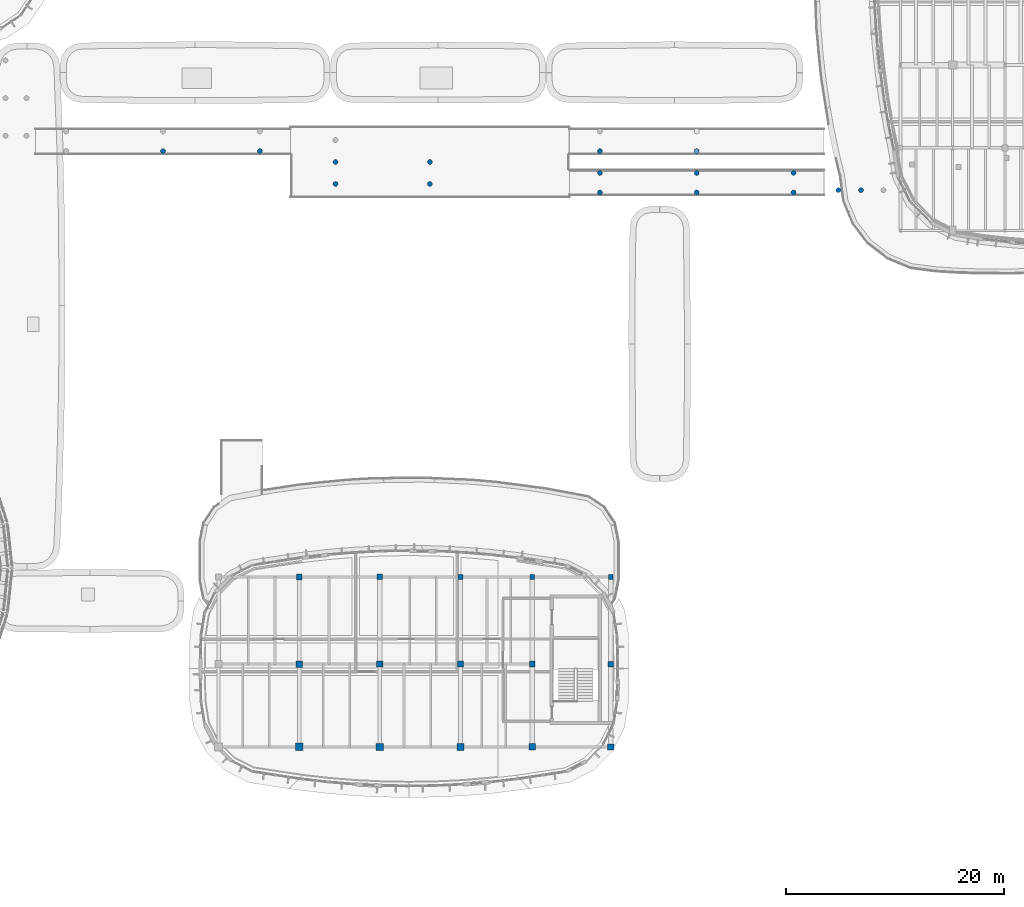
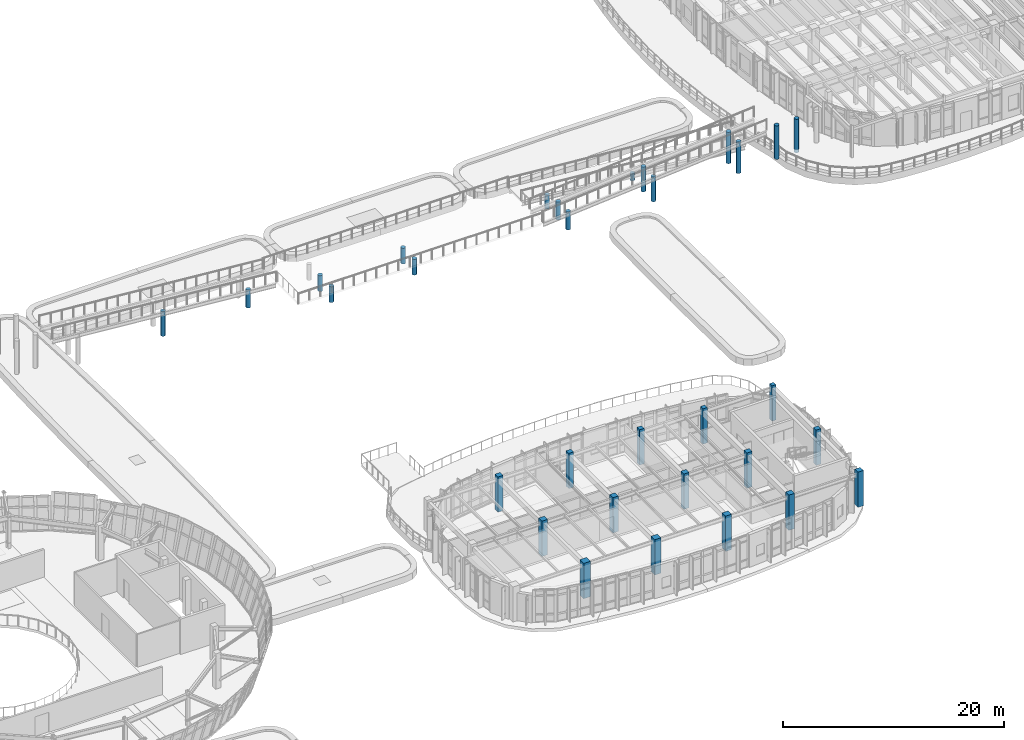
# One storey, part 4 of 111: 31 columns.
"""IFC4 building model written with IfcOpenShell, lengths in metres."""

from ifc_helpers import new_model, si_unit, direction, frame, origin, origin_2d, place, context, subcontext, project, spatial, rectangle, circle, extrude, material, material_profile, profile_set, type_object, element, save


model = new_model("IFC4")

# Units and contexts
model_context = context("Model", 3, precision=1e-05, world=origin(), true_north=direction((0.0, 1.0)))
body_context = subcontext(model_context, "Body", "Model", "MODEL_VIEW")
ifc_project = project(units=[si_unit("LENGTHUNIT", "METRE"), si_unit("AREAUNIT", "SQUARE_METRE"), si_unit("VOLUMEUNIT", "CUBIC_METRE"), si_unit("PLANEANGLEUNIT", "RADIAN"), si_unit("MASSUNIT", "GRAM", prefix="KILO")], contexts=[model_context])

# Site, building, storey
site_placement = place(None, origin())
site = spatial("IfcSite", under=ifc_project, at=site_placement, CompositionType="ELEMENT")
building_placement = place(site_placement, origin())
building = spatial("IfcBuilding", under=site, at=building_placement, Name="Corveleigh Park Community Centre", CompositionType="ELEMENT")
storey_placement = place(building_placement, frame((0.0, 0.0, 4.800048828125)))
storey = spatial("IfcBuildingStorey", under=building, at=storey_placement, Name="L01", CompositionType="ELEMENT", Elevation=4.800048828125)

# Columns
ifc_material = material(Name="Concrete C40/50", Category="concrete")
ifc_material_profile_1 = material_profile(ifc_material, rectangle(XDim=0.425048828125, YDim=0.425048828125, at=origin_2d()), Name="RC-425x425", Category="concrete")
ifc_profile_set_1 = profile_set([ifc_material_profile_1], Name="Concrete C40/50")
column_type_1 = type_object("IfcColumnType", Name="COL-RC-425x425", PredefinedType="COLUMN", material=ifc_profile_set_1)
column_1_placement = place(storey_placement, frame((108.0, 26.800048828125, 0.0), z_axis=(0.0, 0.0, 1.0), x_axis=(1.0, 0.0, 0.0)))
element("IfcColumn", 1, at=column_1_placement, inside=storey, type_object=column_type_1, Name="Column V3-X5Y2 L01", PredefinedType="COLUMN", context=body_context, shape_type="SweptSolid", body=[
    extrude(rectangle(XDim=0.425048828125, YDim=0.425048828125, at=origin_2d()), origin(), (0.0, 0.0, 1.0), 3.89990234375),
])
ifc_material_profile_2 = material_profile(ifc_material, rectangle(XDim=0.449951171875, YDim=0.449951171875, at=origin_2d()), Name="RC-450x450", Category="concrete")
ifc_profile_set_2 = profile_set([ifc_material_profile_2], Name="Concrete C40/50")
column_type_2 = type_object("IfcColumnType", Name="COL-RC-450x450", PredefinedType="COLUMN", material=ifc_profile_set_2)
column_2_placement = place(storey_placement, frame((100.800048828125, 26.800048828125, 0.0), z_axis=(0.0, 0.0, 1.0), x_axis=(1.0, 0.0, 0.0)))
element("IfcColumn", 2, at=column_2_placement, inside=storey, type_object=column_type_2, Name="Column V3-X4Y2 L01", PredefinedType="COLUMN", context=body_context, shape_type="SweptSolid", body=[
    extrude(rectangle(XDim=0.449951171875, YDim=0.449951171875, at=origin_2d()), origin(), (0.0, 0.0, 1.0), 3.89990234375),
])
ifc_material_profile_3 = material_profile(ifc_material, rectangle(XDim=0.47509765625, YDim=0.47509765625, at=origin_2d()), Name="RC-475x475", Category="concrete")
ifc_profile_set_3 = profile_set([ifc_material_profile_3], Name="Concrete C40/50")
column_type_3 = type_object("IfcColumnType", Name="COL-RC-475x475", PredefinedType="COLUMN", material=ifc_profile_set_3)
column_3_placement = place(storey_placement, frame((94.199951171875, 26.800048828125, 0.0), z_axis=(0.0, 0.0, 1.0), x_axis=(1.0, 0.0, 0.0)))
element("IfcColumn", 3, at=column_3_placement, inside=storey, type_object=column_type_3, Name="Column V3-X3Y2 L01", PredefinedType="COLUMN", context=body_context, shape_type="SweptSolid", body=[
    extrude(rectangle(XDim=0.47509765625, YDim=0.47509765625, at=origin_2d()), origin(), (0.0, 0.0, 1.0), 3.89990234375),
])
ifc_material_profile_4 = material_profile(ifc_material, rectangle(XDim=0.5, YDim=0.5, at=origin_2d()), Name="RC-500x500", Category="concrete")
ifc_profile_set_4 = profile_set([ifc_material_profile_4], Name="Concrete C40/50")
column_type_4 = type_object("IfcColumnType", Name="COL-RC-500x500", PredefinedType="COLUMN", material=ifc_profile_set_4)
for number, where, z_axis, x_axis, name in (
    (4, (86.800048828125, 26.800048828125, 0.0), (0.0, 0.0, 1.0), (1.0, 0.0, 0.0), "Column V3-X2Y2 L01"),
    (5, (108.0, 18.800048828125, 0.0), (0.0, 0.0, 1.0), (1.0, 0.0, 0.0), "Column V3-X5Y1 L01"),
):
    element("IfcColumn", number, at=place(storey_placement, frame(where, z_axis=z_axis, x_axis=x_axis)), inside=storey, type_object=column_type_4, Name=name, PredefinedType="COLUMN", context=body_context, shape_type="SweptSolid", body=[
        extrude(rectangle(XDim=0.5, YDim=0.5, at=origin_2d()), origin(), (0.0, 0.0, 1.0), 3.89990234375),
    ])
ifc_material_profile_5 = material_profile(ifc_material, rectangle(XDim=0.52490234375, YDim=0.52490234375, at=origin_2d()), Name="RC-525x525", Category="concrete")
ifc_profile_set_5 = profile_set([ifc_material_profile_5], Name="Concrete C40/50")
column_type_5 = type_object("IfcColumnType", Name="COL-RC-525x525", PredefinedType="COLUMN", material=ifc_profile_set_5)
for number, where, z_axis, x_axis, name in (
    (6, (79.39990234375, 26.800048828125, 0.0), (0.0, 0.0, 1.0), (1.0, 0.0, 0.0), "Column V3-X1Y2 L01"),
    (7, (100.800048828125, 18.800048828125, 0.0), (0.0, 0.0, 1.0), (1.0, 0.0, 0.0), "Column V3-X4Y1 L01"),
):
    element("IfcColumn", number, at=place(storey_placement, frame(where, z_axis=z_axis, x_axis=x_axis)), inside=storey, type_object=column_type_5, Name=name, PredefinedType="COLUMN", context=body_context, shape_type="SweptSolid", body=[
        extrude(rectangle(XDim=0.52490234375, YDim=0.52490234375, at=origin_2d()), origin(), (0.0, 0.0, 1.0), 3.89990234375),
    ])
ifc_material_profile_6 = material_profile(ifc_material, rectangle(XDim=0.550048828125, YDim=0.550048828125, at=origin_2d()), Name="RC-550x550", Category="concrete")
ifc_profile_set_6 = profile_set([ifc_material_profile_6], Name="Concrete C40/50")
column_type_6 = type_object("IfcColumnType", Name="COL-RC-550x550", PredefinedType="COLUMN", material=ifc_profile_set_6)
column_4_placement = place(storey_placement, frame((94.199951171875, 18.800048828125, 0.0), z_axis=(0.0, 0.0, 1.0), x_axis=(1.0, 0.0, 0.0)))
element("IfcColumn", 8, at=column_4_placement, inside=storey, type_object=column_type_6, Name="Column V3-X3Y1 L01", PredefinedType="COLUMN", context=body_context, shape_type="SweptSolid", body=[
    extrude(rectangle(XDim=0.550048828125, YDim=0.550048828125, at=origin_2d()), origin(), (0.0, 0.0, 1.0), 3.89990234375),
])
ifc_material_profile_7 = material_profile(ifc_material, rectangle(XDim=0.574951171875, YDim=0.574951171875, at=origin_2d()), Name="RC-575x575", Category="concrete")
ifc_profile_set_7 = profile_set([ifc_material_profile_7], Name="Concrete C40/50")
column_type_7 = type_object("IfcColumnType", Name="COL-RC-575x575", PredefinedType="COLUMN", material=ifc_profile_set_7)
for number, where, z_axis, x_axis, name in (
    (9, (86.800048828125, 18.800048828125, 0.0), (0.0, 0.0, 1.0), (1.0, 0.0, 0.0), "Column V3-X2Y1 L01"),
    (10, (108.0, 11.199951171875, 0.0), (0.0, 0.0, 1.0), (1.0, 0.0, 0.0), "Column V3-X5Y0 L01"),
):
    element("IfcColumn", number, at=place(storey_placement, frame(where, z_axis=z_axis, x_axis=x_axis)), inside=storey, type_object=column_type_7, Name=name, PredefinedType="COLUMN", context=body_context, shape_type="SweptSolid", body=[
        extrude(rectangle(XDim=0.574951171875, YDim=0.574951171875, at=origin_2d()), origin(), (0.0, 0.0, 1.0), 3.89990234375),
    ])
ifc_material_profile_8 = material_profile(ifc_material, rectangle(XDim=0.60009765625, YDim=0.60009765625, at=origin_2d()), Name="RC-600x600", Category="concrete")
ifc_profile_set_8 = profile_set([ifc_material_profile_8], Name="Concrete C40/50")
column_type_8 = type_object("IfcColumnType", Name="COL-RC-600x600", PredefinedType="COLUMN", material=ifc_profile_set_8)
for number, where, z_axis, x_axis, name in (
    (11, (79.39990234375, 18.800048828125, 0.0), (0.0, 0.0, 1.0), (1.0, 0.0, 0.0), "Column V3-X1Y1 L01"),
    (12, (100.800048828125, 11.199951171875, 0.0), (0.0, 0.0, 1.0), (1.0, 0.0, 0.0), "Column V3-X4Y0 L01"),
):
    element("IfcColumn", number, at=place(storey_placement, frame(where, z_axis=z_axis, x_axis=x_axis)), inside=storey, type_object=column_type_8, Name=name, PredefinedType="COLUMN", context=body_context, shape_type="SweptSolid", body=[
        extrude(rectangle(XDim=0.60009765625, YDim=0.60009765625, at=origin_2d()), origin(), (0.0, 0.0, 1.0), 3.89990234375),
    ])
ifc_material_profile_9 = material_profile(ifc_material, rectangle(XDim=0.625, YDim=0.625, at=origin_2d()), Name="RC-625x625", Category="concrete")
ifc_profile_set_9 = profile_set([ifc_material_profile_9], Name="Concrete C40/50")
column_type_9 = type_object("IfcColumnType", Name="COL-RC-625x625", PredefinedType="COLUMN", material=ifc_profile_set_9)
column_5_placement = place(storey_placement, frame((94.199951171875, 11.199951171875, 0.0), z_axis=(0.0, 0.0, 1.0), x_axis=(1.0, 0.0, 0.0)))
element("IfcColumn", 13, at=column_5_placement, inside=storey, type_object=column_type_9, Name="Column V3-X3Y0 L01", PredefinedType="COLUMN", context=body_context, shape_type="SweptSolid", body=[
    extrude(rectangle(XDim=0.625, YDim=0.625, at=origin_2d()), origin(), (0.0, 0.0, 1.0), 3.89990234375),
])
ifc_material_profile_10 = material_profile(ifc_material, rectangle(XDim=0.64990234375, YDim=0.64990234375, at=origin_2d()), Name="RC-650x650", Category="concrete")
ifc_profile_set_10 = profile_set([ifc_material_profile_10], Name="Concrete C40/50")
column_type_10 = type_object("IfcColumnType", Name="COL-RC-650x650", PredefinedType="COLUMN", material=ifc_profile_set_10)
column_6_placement = place(storey_placement, frame((86.800048828125, 11.199951171875, 0.0), z_axis=(0.0, 0.0, 1.0), x_axis=(1.0, 0.0, 0.0)))
element("IfcColumn", 14, at=column_6_placement, inside=storey, type_object=column_type_10, Name="Column V3-X2Y0 L01", PredefinedType="COLUMN", context=body_context, shape_type="SweptSolid", body=[
    extrude(rectangle(XDim=0.64990234375, YDim=0.64990234375, at=origin_2d()), origin(), (0.0, 0.0, 1.0), 3.89990234375),
])
ifc_material_profile_11 = material_profile(ifc_material, rectangle(XDim=0.699951171875, YDim=0.699951171875, at=origin_2d()), Name="RC-700x700", Category="concrete")
ifc_profile_set_11 = profile_set([ifc_material_profile_11], Name="Concrete C40/50")
column_type_11 = type_object("IfcColumnType", Name="COL-RC-700x700", PredefinedType="COLUMN", material=ifc_profile_set_11)
column_7_placement = place(storey_placement, frame((79.39990234375, 11.199951171875, 0.0), z_axis=(0.0, 0.0, 1.0), x_axis=(1.0, 0.0, 0.0)))
element("IfcColumn", 15, at=column_7_placement, inside=storey, type_object=column_type_11, Name="Column V3-X1Y0 L01", PredefinedType="COLUMN", context=body_context, shape_type="SweptSolid", body=[
    extrude(rectangle(XDim=0.699951171875, YDim=0.699951171875, at=origin_2d()), origin(), (0.0, 0.0, 1.0), 3.89990234375),
])
ifc_material_profile_12 = material_profile(ifc_material, circle(Radius=0.22509765625, at=origin_2d()), Name="RC-450D", Category="concrete")
ifc_profile_set_12 = profile_set([ifc_material_profile_12], Name="Concrete C40/50")
column_type_12 = type_object("IfcColumnType", Name="COL-RCE-450D", PredefinedType="COLUMN", material=ifc_profile_set_12)
column_8_placement = place(storey_placement, frame((115.89990234375, 65.89990234375, 0.0), z_axis=(0.0, 0.0, 1.0), x_axis=(1.0, 0.0, 0.0)))
element("IfcColumn", 16, at=column_8_placement, inside=storey, type_object=column_type_12, Name="External deck support pier 98 L01", PredefinedType="COLUMN", context=body_context, shape_type="SweptSolid", body=[
    extrude(circle(Radius=0.22509765625, at=origin_2d()), origin(), (0.0, 0.0, 1.0), 0.779052734375),
])
column_9_placement = place(storey_placement, frame((107.008056640625, 65.89990234375, 0.0), z_axis=(0.0, 0.0, 1.0), x_axis=(1.0, 0.0, 0.0)))
element("IfcColumn", 17, at=column_9_placement, inside=storey, type_object=column_type_12, Name="External deck support pier 100 L01", PredefinedType="COLUMN", context=body_context, shape_type="SweptSolid", body=[
    extrude(circle(Radius=0.22509765625, at=origin_2d()), origin(), (0.0, 0.0, 1.0), 1.52001953125),
])
column_10_placement = place(storey_placement, frame((75.7919921875, 65.89990234375, 0.0), z_axis=(0.0, 0.0, 1.0), x_axis=(1.0, 0.0, 0.0)))
element("IfcColumn", 18, at=column_10_placement, inside=storey, type_object=column_type_12, Name="External deck support pier 102 L01", PredefinedType="COLUMN", context=body_context, shape_type="SweptSolid", body=[
    extrude(circle(Radius=0.22509765625, at=origin_2d()), origin(), (0.0, 0.0, 1.0), 1.988037109375),
])
column_11_placement = place(storey_placement, frame((66.89990234375, 65.89990234375, 0.0), z_axis=(0.0, 0.0, 1.0), x_axis=(1.0, 0.0, 0.0)))
element("IfcColumn", 19, at=column_11_placement, inside=storey, type_object=column_type_12, Name="External deck support pier 104 L01", PredefinedType="COLUMN", context=body_context, shape_type="SweptSolid", body=[
    extrude(circle(Radius=0.22509765625, at=origin_2d()), origin(), (0.0, 0.0, 1.0), 2.72900390625),
])
for number, where, z_axis, x_axis, name in (
    (20, (107.008056640625, 62.10009765625, 0.0), (0.0, 0.0, 1.0), (1.0, 0.0, 0.0), "External deck support pier 108 L01"),
    (21, (107.008056640625, 63.89990234375, 0.0), (0.0, 0.0, 1.0), (1.0, 0.0, 0.0), "External deck support pier 109 L01"),
):
    element("IfcColumn", number, at=place(storey_placement, frame(where, z_axis=z_axis, x_axis=x_axis)), inside=storey, type_object=column_type_12, Name=name, PredefinedType="COLUMN", context=body_context, shape_type="SweptSolid", body=[
        extrude(circle(Radius=0.22509765625, at=origin_2d()), origin(), (0.0, 0.0, 1.0), 1.988037109375),
    ])
for number, where, z_axis, x_axis, name in (
    (22, (115.89990234375, 62.10009765625, 0.0), (0.0, 0.0, 1.0), (1.0, 0.0, 0.0), "External deck support pier 110 L01"),
    (23, (115.89990234375, 63.89990234375, 0.0), (0.0, 0.0, 1.0), (1.0, 0.0, 0.0), "External deck support pier 111 L01"),
):
    element("IfcColumn", number, at=place(storey_placement, frame(where, z_axis=z_axis, x_axis=x_axis)), inside=storey, type_object=column_type_12, Name=name, PredefinedType="COLUMN", context=body_context, shape_type="SweptSolid", body=[
        extrude(circle(Radius=0.22509765625, at=origin_2d()), origin(), (0.0, 0.0, 1.0), 2.72900390625),
    ])
for number, where, z_axis, x_axis, name in (
    (24, (124.7919921875, 62.10009765625, 0.0), (0.0, 0.0, 1.0), (1.0, 0.0, 0.0), "External deck support pier 112 L01"),
    (25, (124.7919921875, 63.89990234375, 0.0), (0.0, 0.0, 1.0), (1.0, 0.0, 0.0), "External deck support pier 113 L01"),
):
    element("IfcColumn", number, at=place(storey_placement, frame(where, z_axis=z_axis, x_axis=x_axis)), inside=storey, type_object=column_type_12, Name=name, PredefinedType="COLUMN", context=body_context, shape_type="SweptSolid", body=[
        extrude(circle(Radius=0.22509765625, at=origin_2d()), origin(), (0.0, 0.0, 1.0), 3.469970703125),
    ])
for number, where, z_axis, x_axis, name in (
    (26, (82.73388671875, 62.884033203125, 0.0), (0.0, 0.0, 1.0), (1.0, 0.0, 0.0), "External deck support pier 242 L01"),
    (27, (82.73388671875, 64.89990234375, 0.0), (0.0, 0.0, 1.0), (1.0, 0.0, 0.0), "External deck support pier 243 L01"),
    (28, (91.39990234375, 62.884033203125, 0.0), (0.0, 0.0, 1.0), (1.0, 0.0, 0.0), "External deck support pier 245 L01"),
    (29, (91.39990234375, 64.89990234375, 0.0), (0.0, 0.0, 1.0), (1.0, 0.0, 0.0), "External deck support pier 246 L01"),
):
    element("IfcColumn", number, at=place(storey_placement, frame(where, z_axis=z_axis, x_axis=x_axis)), inside=storey, type_object=column_type_12, Name=name, PredefinedType="COLUMN", context=body_context, shape_type="SweptSolid", body=[
        extrude(circle(Radius=0.22509765625, at=origin_2d()), origin(), (0.0, 0.0, 1.0), 1.75390625),
    ])
for number, where, z_axis, x_axis, name in (
    (30, (128.907958984375, 62.31396484375, 0.0), (0.0, 0.0, 1.0), (1.0, 0.0, 0.0), "External deck support pier 252 L01"),
    (31, (130.97998046875, 62.31396484375, 0.0), (0.0, 0.0, 1.0), (1.0, 0.0, 0.0), "External deck support pier 253 L01"),
):
    element("IfcColumn", number, at=place(storey_placement, frame(where, z_axis=z_axis, x_axis=x_axis)), inside=storey, type_object=column_type_12, Name=name, PredefinedType="COLUMN", context=body_context, shape_type="SweptSolid", body=[
        extrude(circle(Radius=0.22509765625, at=origin_2d()), origin(), (0.0, 0.0, 1.0), 3.703857421875),
    ])

save(model, "model.ifc")
